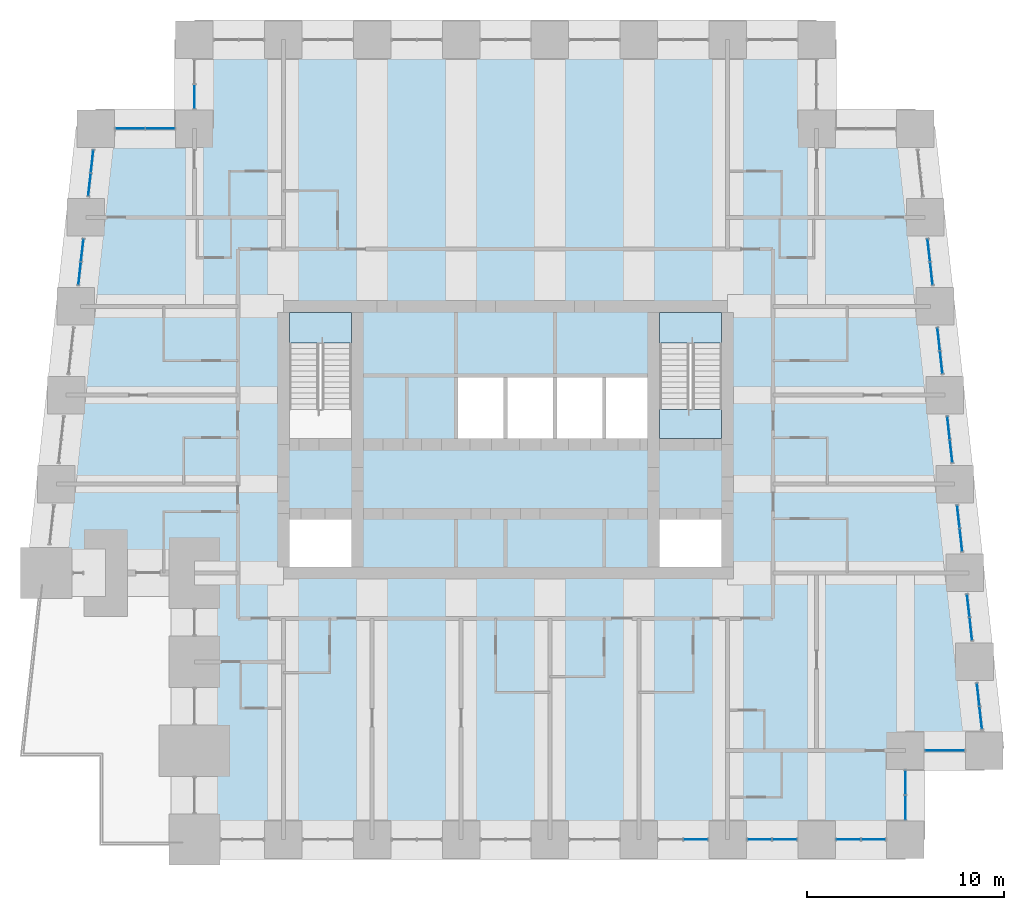
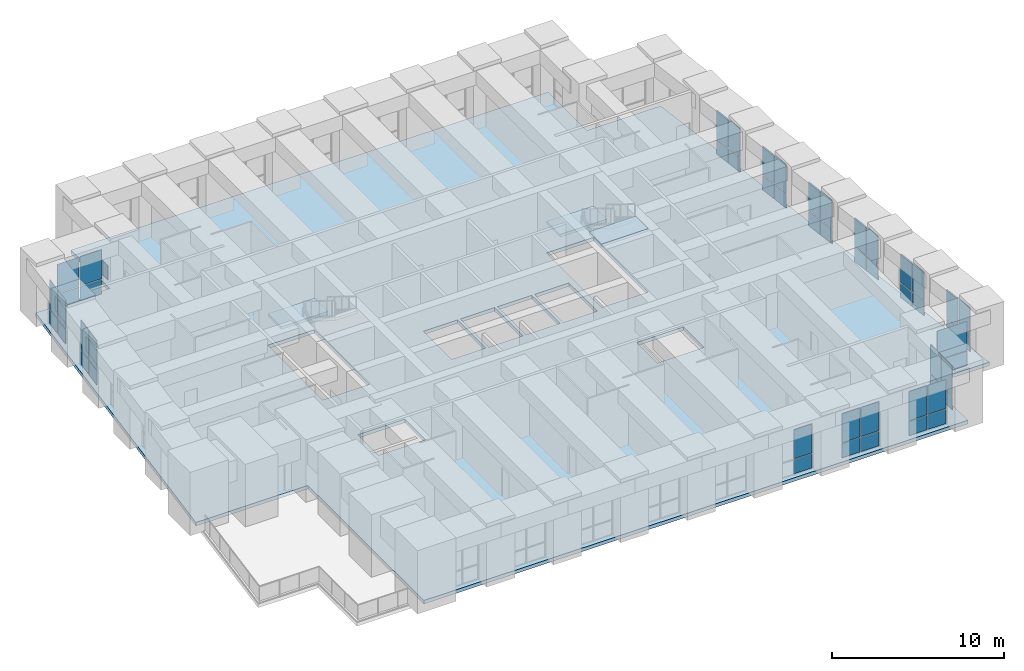
# One storey, part 10 of 16: 53 plates, 4 slabs, 17 elements without a shape of their own.
"""IFC4 building model written with IfcOpenShell, lengths in metres."""

from ifc_helpers import new_model, si_unit, direction, frame, origin, origin_2d, place, context, subcontext, project, spatial, polyline, rectangle, outline, extrude, material, layer, layer_set, type_object, element, aggregate, save


model = new_model("IFC4")

# Units and contexts
model_context = context("Model", 3, precision=1e-05, world=origin(), true_north=direction((0.0, 1.0)))
body_context = subcontext(model_context, "Body", "Model", "MODEL_VIEW")
ifc_project = project(units=[si_unit("LENGTHUNIT", "METRE"), si_unit("AREAUNIT", "SQUARE_METRE"), si_unit("VOLUMEUNIT", "CUBIC_METRE"), si_unit("PLANEANGLEUNIT", "RADIAN"), si_unit("MASSUNIT", "GRAM", prefix="KILO")], contexts=[model_context])

# Site, building, storey
site_placement = place(None, origin())
site = spatial("IfcSite", under=ifc_project, at=site_placement, CompositionType="ELEMENT")
building_placement = place(site_placement, origin())
building = spatial("IfcBuilding", under=site, at=building_placement, Name="Kilele Tower Hotel", CompositionType="ELEMENT")
storey_placement = place(building_placement, frame((0.0, 0.0, 157.89990234375)))
storey = spatial("IfcBuildingStorey", under=building, at=storey_placement, Name="L40", CompositionType="ELEMENT", Elevation=157.89990234375)

# Slab
ifc_material_1 = material(Name="Concrete C60/75", Category="concrete")
ifc_layer_1 = layer(ifc_material_1, 0.25)
ifc_layer_set_1 = layer_set([ifc_layer_1], Name="Concrete C60/75")
slab_type_1 = type_object("IfcSlabType", Name="Floor slab 250", PredefinedType="FLOOR", material=ifc_layer_set_1)
slab_1_placement = place(storey_placement, frame((0.0, 0.0, -0.25)))
element("IfcSlab", 1, at=slab_1_placement, inside=storey, type_object=slab_type_1, Name="Floor slab L40", PredefinedType="FLOOR", context=body_context, shape_type="SweptSolid", body=[
    extrude(outline(polyline([(8.699951171875, 36.300048828125), (8.699951171875, 40.800048828125), (40.800048828125, 40.800048828125), (40.800048828125, 36.300048828125), (45.7685546875, 36.300048828125), (49.335205078125, 4.199951171875), (45.300048828125, 4.199951171875), (45.300048828125, -0.300048828125), (8.699951171875, -0.300048828125), (8.699951171875, 13.199951171875), (1.164794921875, 13.199951171875), (3.7314453125, 36.300048828125), (8.699951171875, 36.300048828125)]), holes=[polyline([(16.949951171875, 16.199951171875), (13.800048828125, 16.199951171875), (13.800048828125, 13.800048828125), (16.949951171875, 13.800048828125), (16.949951171875, 16.199951171875)]), polyline([(35.699951171875, 16.199951171875), (32.550048828125, 16.199951171875), (32.550048828125, 13.800048828125), (35.699951171875, 13.800048828125), (35.699951171875, 16.199951171875)]), polyline([(24.64990234375, 23.39990234375), (22.35009765625, 23.39990234375), (22.35009765625, 20.10009765625), (24.64990234375, 20.10009765625), (24.64990234375, 23.39990234375)]), polyline([(27.14990234375, 23.39990234375), (24.85009765625, 23.39990234375), (24.85009765625, 20.10009765625), (27.14990234375, 20.10009765625), (27.14990234375, 23.39990234375)]), polyline([(29.64990234375, 23.39990234375), (27.35009765625, 23.39990234375), (27.35009765625, 20.10009765625), (29.64990234375, 20.10009765625), (29.64990234375, 23.39990234375)]), polyline([(32.14990234375, 23.39990234375), (29.85009765625, 23.39990234375), (29.85009765625, 20.10009765625), (32.14990234375, 20.10009765625), (32.14990234375, 23.39990234375)]), polyline([(16.949951171875, 26.699951171875), (13.800048828125, 26.699951171875), (13.800048828125, 20.300048828125), (16.949951171875, 20.300048828125), (16.949951171875, 26.699951171875)]), polyline([(35.699951171875, 26.699951171875), (32.550048828125, 26.699951171875), (32.550048828125, 20.300048828125), (35.699951171875, 20.300048828125), (35.699951171875, 26.699951171875)])]), origin(), (0.0, 0.0, 1.0), 0.25),
])

# Curtain wall, plates
ifc_material_2 = material(Name="Aluminium curtain wall, clear double glazing", Category="aluminium")
curtain_wall_type = type_object("IfcCurtainWallType", Name="Club lounge curtain wall CW-4", PredefinedType="NOTDEFINED", material=ifc_material_2)
curtain_wall_1_placement = place(storey_placement, origin())
curtain_wall_1 = element("IfcCurtainWall", 2, at=curtain_wall_1_placement, inside=storey, type_object=curtain_wall_type, Name="Club lounge curtain wall CW-4 L40", PredefinedType="NOTDEFINED")
ifc_material_3 = material(Name="Clear double glazing", Category="glass")
ifc_layer_2 = layer(ifc_material_3, 0.028076171875)
ifc_layer_set_2 = layer_set([ifc_layer_2], Name="Clear double glazing")
plate_type = type_object("IfcPlateType", Name="Glazed panel 28 CW-4", PredefinedType="CURTAIN_PANEL", material=ifc_layer_set_2)
plate_1_placement = place(storey_placement, frame((34.385009765625, 0.0, 0.06005859375), z_axis=(0.0, 0.0, 1.0), x_axis=(1.0, 0.0, 0.0)))
plate_1 = element("IfcPlate", 3, at=plate_1_placement, type_object=plate_type, Name="CW-4 panel 2.1", PredefinedType="CURTAIN_PANEL", context=body_context, shape_type="SweptSolid", body=[
    extrude(rectangle(XDim=1.2099609375, YDim=0.028076171875, at=origin_2d()), origin(), (0.0, 0.0, 1.0), 1.010009765625),
])
plate_2_placement = place(storey_placement, frame((34.385009765625, 0.0, 1.130126953125), z_axis=(0.0, 0.0, 1.0), x_axis=(1.0, 0.0, 0.0)))
plate_2 = element("IfcPlate", 4, at=plate_2_placement, type_object=plate_type, Name="CW-4 panel 2.2", PredefinedType="CURTAIN_PANEL", context=body_context, shape_type="SweptSolid", body=[
    extrude(rectangle(XDim=1.2099609375, YDim=0.028076171875, at=origin_2d()), origin(), (0.0, 0.0, 1.0), 2.06005859375),
])
aggregate(curtain_wall_1, [plate_1, plate_2])

curtain_wall_2_placement = place(storey_placement, origin())
curtain_wall_2 = element("IfcCurtainWall", 5, at=curtain_wall_2_placement, inside=storey, type_object=curtain_wall_type, Name="Club lounge curtain wall CW-4 L40", PredefinedType="NOTDEFINED")
plate_3_placement = place(storey_placement, frame((37.614990234375, 0.0, 0.06005859375), z_axis=(0.0, 0.0, 1.0), x_axis=(1.0, 0.0, 0.0)))
plate_3 = element("IfcPlate", 6, at=plate_3_placement, type_object=plate_type, Name="CW-4 panel 1.1", PredefinedType="CURTAIN_PANEL", context=body_context, shape_type="SweptSolid", body=[
    extrude(rectangle(XDim=1.2099609375, YDim=0.028076171875, at=origin_2d()), origin(), (0.0, 0.0, 1.0), 1.010009765625),
])
plate_4_placement = place(storey_placement, frame((37.614990234375, 0.0, 1.130126953125), z_axis=(0.0, 0.0, 1.0), x_axis=(1.0, 0.0, 0.0)))
plate_4 = element("IfcPlate", 7, at=plate_4_placement, type_object=plate_type, Name="CW-4 panel 1.2", PredefinedType="CURTAIN_PANEL", context=body_context, shape_type="SweptSolid", body=[
    extrude(rectangle(XDim=1.2099609375, YDim=0.028076171875, at=origin_2d()), origin(), (0.0, 0.0, 1.0), 2.06005859375),
])
plate_5_placement = place(storey_placement, frame((38.885009765625, 0.0, 0.06005859375), z_axis=(0.0, 0.0, 1.0), x_axis=(1.0, 0.0, 0.0)))
plate_5 = element("IfcPlate", 8, at=plate_5_placement, type_object=plate_type, Name="CW-4 panel 2.1", PredefinedType="CURTAIN_PANEL", context=body_context, shape_type="SweptSolid", body=[
    extrude(rectangle(XDim=1.2099609375, YDim=0.028076171875, at=origin_2d()), origin(), (0.0, 0.0, 1.0), 1.010009765625),
])
plate_6_placement = place(storey_placement, frame((38.885009765625, 0.0, 1.130126953125), z_axis=(0.0, 0.0, 1.0), x_axis=(1.0, 0.0, 0.0)))
plate_6 = element("IfcPlate", 9, at=plate_6_placement, type_object=plate_type, Name="CW-4 panel 2.2", PredefinedType="CURTAIN_PANEL", context=body_context, shape_type="SweptSolid", body=[
    extrude(rectangle(XDim=1.2099609375, YDim=0.028076171875, at=origin_2d()), origin(), (0.0, 0.0, 1.0), 2.06005859375),
])
aggregate(curtain_wall_2, [plate_3, plate_4, plate_5, plate_6])

curtain_wall_3_placement = place(storey_placement, origin())
curtain_wall_3 = element("IfcCurtainWall", 10, at=curtain_wall_3_placement, inside=storey, type_object=curtain_wall_type, Name="Club lounge curtain wall CW-4 L40", PredefinedType="NOTDEFINED")
plate_7_placement = place(storey_placement, frame((42.114990234375, 0.0, 0.06005859375), z_axis=(0.0, 0.0, 1.0), x_axis=(1.0, 0.0, 0.0)))
plate_7 = element("IfcPlate", 11, at=plate_7_placement, type_object=plate_type, Name="CW-4 panel 1.1", PredefinedType="CURTAIN_PANEL", context=body_context, shape_type="SweptSolid", body=[
    extrude(rectangle(XDim=1.2099609375, YDim=0.028076171875, at=origin_2d()), origin(), (0.0, 0.0, 1.0), 1.010009765625),
])
plate_8_placement = place(storey_placement, frame((42.114990234375, 0.0, 1.130126953125), z_axis=(0.0, 0.0, 1.0), x_axis=(1.0, 0.0, 0.0)))
plate_8 = element("IfcPlate", 12, at=plate_8_placement, type_object=plate_type, Name="CW-4 panel 1.2", PredefinedType="CURTAIN_PANEL", context=body_context, shape_type="SweptSolid", body=[
    extrude(rectangle(XDim=1.2099609375, YDim=0.028076171875, at=origin_2d()), origin(), (0.0, 0.0, 1.0), 2.06005859375),
])
plate_9_placement = place(storey_placement, frame((43.385009765625, 0.0, 0.06005859375), z_axis=(0.0, 0.0, 1.0), x_axis=(1.0, 0.0, 0.0)))
plate_9 = element("IfcPlate", 13, at=plate_9_placement, type_object=plate_type, Name="CW-4 panel 2.1", PredefinedType="CURTAIN_PANEL", context=body_context, shape_type="SweptSolid", body=[
    extrude(rectangle(XDim=1.2099609375, YDim=0.028076171875, at=origin_2d()), origin(), (0.0, 0.0, 1.0), 1.010009765625),
])
plate_10_placement = place(storey_placement, frame((43.385009765625, 0.0, 1.130126953125), z_axis=(0.0, 0.0, 1.0), x_axis=(1.0, 0.0, 0.0)))
plate_10 = element("IfcPlate", 14, at=plate_10_placement, type_object=plate_type, Name="CW-4 panel 2.2", PredefinedType="CURTAIN_PANEL", context=body_context, shape_type="SweptSolid", body=[
    extrude(rectangle(XDim=1.2099609375, YDim=0.028076171875, at=origin_2d()), origin(), (0.0, 0.0, 1.0), 2.06005859375),
])
aggregate(curtain_wall_3, [plate_7, plate_8, plate_9, plate_10])

curtain_wall_4_placement = place(storey_placement, origin())
curtain_wall_4 = element("IfcCurtainWall", 15, at=curtain_wall_4_placement, inside=storey, type_object=curtain_wall_type, Name="Club lounge curtain wall CW-4 L40", PredefinedType="NOTDEFINED")
plate_11_placement = place(storey_placement, frame((45.0, 1.614990234375, 0.06005859375), z_axis=(0.0, 0.0, 1.0), x_axis=(0.0, 1.0, 0.0)))
plate_11 = element("IfcPlate", 16, at=plate_11_placement, type_object=plate_type, Name="CW-4 panel 1.1", PredefinedType="CURTAIN_PANEL", context=body_context, shape_type="SweptSolid", body=[
    extrude(rectangle(XDim=1.2099609375, YDim=0.028076171875, at=origin_2d()), origin(), (0.0, 0.0, 1.0), 1.010009765625),
])
plate_12_placement = place(storey_placement, frame((45.0, 1.614990234375, 1.130126953125), z_axis=(0.0, 0.0, 1.0), x_axis=(0.0, 1.0, 0.0)))
plate_12 = element("IfcPlate", 17, at=plate_12_placement, type_object=plate_type, Name="CW-4 panel 1.2", PredefinedType="CURTAIN_PANEL", context=body_context, shape_type="SweptSolid", body=[
    extrude(rectangle(XDim=1.2099609375, YDim=0.028076171875, at=origin_2d()), origin(), (0.0, 0.0, 1.0), 2.06005859375),
])
plate_13_placement = place(storey_placement, frame((45.0, 2.885009765625, 0.06005859375), z_axis=(0.0, 0.0, 1.0), x_axis=(0.0, 1.0, 0.0)))
plate_13 = element("IfcPlate", 18, at=plate_13_placement, type_object=plate_type, Name="CW-4 panel 2.1", PredefinedType="CURTAIN_PANEL", context=body_context, shape_type="SweptSolid", body=[
    extrude(rectangle(XDim=1.2099609375, YDim=0.028076171875, at=origin_2d()), origin(), (0.0, 0.0, 1.0), 1.010009765625),
])
plate_14_placement = place(storey_placement, frame((45.0, 2.885009765625, 1.130126953125), z_axis=(0.0, 0.0, 1.0), x_axis=(0.0, 1.0, 0.0)))
plate_14 = element("IfcPlate", 19, at=plate_14_placement, type_object=plate_type, Name="CW-4 panel 2.2", PredefinedType="CURTAIN_PANEL", context=body_context, shape_type="SweptSolid", body=[
    extrude(rectangle(XDim=1.2099609375, YDim=0.028076171875, at=origin_2d()), origin(), (0.0, 0.0, 1.0), 2.06005859375),
])
aggregate(curtain_wall_4, [plate_11, plate_12, plate_13, plate_14])

curtain_wall_5_placement = place(storey_placement, origin())
curtain_wall_5 = element("IfcCurtainWall", 20, at=curtain_wall_5_placement, inside=storey, type_object=curtain_wall_type, Name="Club lounge curtain wall CW-4 L40", PredefinedType="NOTDEFINED")
plate_15_placement = place(storey_placement, frame((47.0, 4.5, 0.06005859375), z_axis=(0.0, 0.0, 1.0), x_axis=(1.0, 0.0, 0.0)))
plate_15 = element("IfcPlate", 21, at=plate_15_placement, type_object=plate_type, Name="CW-4 panel 1.1", PredefinedType="CURTAIN_PANEL", context=body_context, shape_type="SweptSolid", body=[
    extrude(rectangle(XDim=1.97998046875, YDim=0.028076171875, at=origin_2d()), origin(), (0.0, 0.0, 1.0), 1.010009765625),
])
plate_16_placement = place(storey_placement, frame((47.0, 4.5, 1.130126953125), z_axis=(0.0, 0.0, 1.0), x_axis=(1.0, 0.0, 0.0)))
plate_16 = element("IfcPlate", 22, at=plate_16_placement, type_object=plate_type, Name="CW-4 panel 1.2", PredefinedType="CURTAIN_PANEL", context=body_context, shape_type="SweptSolid", body=[
    extrude(rectangle(XDim=1.97998046875, YDim=0.028076171875, at=origin_2d()), origin(), (0.0, 0.0, 1.0), 2.06005859375),
])
aggregate(curtain_wall_5, [plate_15, plate_16])

curtain_wall_6_placement = place(storey_placement, origin())
curtain_wall_6 = element("IfcCurtainWall", 23, at=curtain_wall_6_placement, inside=storey, type_object=curtain_wall_type, Name="Club lounge curtain wall CW-4 L40", PredefinedType="NOTDEFINED")
plate_17_placement = place(storey_placement, frame((48.8154296875, 6.1611328125, 0.06005859375), z_axis=(0.0, 0.0, 1.0), x_axis=(-0.110431525712, 0.993883734714, 0.0)))
plate_17 = element("IfcPlate", 24, at=plate_17_placement, type_object=plate_type, Name="CW-4 panel 1.1", PredefinedType="CURTAIN_PANEL", context=body_context, shape_type="SweptSolid", body=[
    extrude(rectangle(XDim=1.124755859375, YDim=0.028076171875, at=origin_2d()), origin(), (0.0, 0.0, 1.0), 1.010009765625),
])
plate_18_placement = place(storey_placement, frame((48.8154296875, 6.1611328125, 1.130126953125), z_axis=(0.0, 0.0, 1.0), x_axis=(-0.110431525712, 0.993883734714, 0.0)))
plate_18 = element("IfcPlate", 25, at=plate_18_placement, type_object=plate_type, Name="CW-4 panel 1.2", PredefinedType="CURTAIN_PANEL", context=body_context, shape_type="SweptSolid", body=[
    extrude(rectangle(XDim=1.124755859375, YDim=0.028076171875, at=origin_2d()), origin(), (0.0, 0.0, 1.0), 2.06005859375),
])
plate_19_placement = place(storey_placement, frame((48.6845703125, 7.3388671875, 0.06005859375), z_axis=(0.0, 0.0, 1.0), x_axis=(-0.110431525712, 0.993883734714, 0.0)))
plate_19 = element("IfcPlate", 26, at=plate_19_placement, type_object=plate_type, Name="CW-4 panel 2.1", PredefinedType="CURTAIN_PANEL", context=body_context, shape_type="SweptSolid", body=[
    extrude(rectangle(XDim=1.124755859375, YDim=0.028076171875, at=origin_2d()), origin(), (0.0, 0.0, 1.0), 1.010009765625),
])
plate_20_placement = place(storey_placement, frame((48.6845703125, 7.3388671875, 1.130126953125), z_axis=(0.0, 0.0, 1.0), x_axis=(-0.110431525712, 0.993883734714, 0.0)))
plate_20 = element("IfcPlate", 27, at=plate_20_placement, type_object=plate_type, Name="CW-4 panel 2.2", PredefinedType="CURTAIN_PANEL", context=body_context, shape_type="SweptSolid", body=[
    extrude(rectangle(XDim=1.124755859375, YDim=0.028076171875, at=origin_2d()), origin(), (0.0, 0.0, 1.0), 2.06005859375),
])
aggregate(curtain_wall_6, [plate_17, plate_18, plate_19, plate_20])

curtain_wall_7_placement = place(storey_placement, origin())
curtain_wall_7 = element("IfcCurtainWall", 28, at=curtain_wall_7_placement, inside=storey, type_object=curtain_wall_type, Name="Club lounge curtain wall CW-4 L40", PredefinedType="NOTDEFINED")
plate_21_placement = place(storey_placement, frame((48.3154296875, 10.6611328125, 0.06005859375), z_axis=(0.0, 0.0, 1.0), x_axis=(-0.110431525712, 0.993883734714, 0.0)))
plate_21 = element("IfcPlate", 29, at=plate_21_placement, type_object=plate_type, Name="CW-4 panel 1.1", PredefinedType="CURTAIN_PANEL", context=body_context, shape_type="SweptSolid", body=[
    extrude(rectangle(XDim=1.124755859375, YDim=0.028076171875, at=origin_2d()), origin(), (0.0, 0.0, 1.0), 1.010009765625),
])
plate_22_placement = place(storey_placement, frame((48.3154296875, 10.6611328125, 1.130126953125), z_axis=(0.0, 0.0, 1.0), x_axis=(-0.110431525712, 0.993883734714, 0.0)))
plate_22 = element("IfcPlate", 30, at=plate_22_placement, type_object=plate_type, Name="CW-4 panel 1.2", PredefinedType="CURTAIN_PANEL", context=body_context, shape_type="SweptSolid", body=[
    extrude(rectangle(XDim=1.124755859375, YDim=0.028076171875, at=origin_2d()), origin(), (0.0, 0.0, 1.0), 2.06005859375),
])
plate_23_placement = place(storey_placement, frame((48.1845703125, 11.8388671875, 0.06005859375), z_axis=(0.0, 0.0, 1.0), x_axis=(-0.110431525712, 0.993883734714, 0.0)))
plate_23 = element("IfcPlate", 31, at=plate_23_placement, type_object=plate_type, Name="CW-4 panel 2.1", PredefinedType="CURTAIN_PANEL", context=body_context, shape_type="SweptSolid", body=[
    extrude(rectangle(XDim=1.124755859375, YDim=0.028076171875, at=origin_2d()), origin(), (0.0, 0.0, 1.0), 1.010009765625),
])
plate_24_placement = place(storey_placement, frame((48.1845703125, 11.8388671875, 1.130126953125), z_axis=(0.0, 0.0, 1.0), x_axis=(-0.110431525712, 0.993883734714, 0.0)))
plate_24 = element("IfcPlate", 32, at=plate_24_placement, type_object=plate_type, Name="CW-4 panel 2.2", PredefinedType="CURTAIN_PANEL", context=body_context, shape_type="SweptSolid", body=[
    extrude(rectangle(XDim=1.124755859375, YDim=0.028076171875, at=origin_2d()), origin(), (0.0, 0.0, 1.0), 2.06005859375),
])
aggregate(curtain_wall_7, [plate_21, plate_22, plate_23, plate_24])

curtain_wall_8_placement = place(storey_placement, origin())
curtain_wall_8 = element("IfcCurtainWall", 33, at=curtain_wall_8_placement, inside=storey, type_object=curtain_wall_type, Name="Club lounge curtain wall CW-4 L40", PredefinedType="NOTDEFINED")
plate_25_placement = place(storey_placement, frame((47.8154296875, 15.1611328125, 0.06005859375), z_axis=(0.0, 0.0, 1.0), x_axis=(-0.110431525712, 0.993883734714, 0.0)))
plate_25 = element("IfcPlate", 34, at=plate_25_placement, type_object=plate_type, Name="CW-4 panel 1.1", PredefinedType="CURTAIN_PANEL", context=body_context, shape_type="SweptSolid", body=[
    extrude(rectangle(XDim=1.124755859375, YDim=0.028076171875, at=origin_2d()), origin(), (0.0, 0.0, 1.0), 1.010009765625),
])
plate_26_placement = place(storey_placement, frame((47.8154296875, 15.1611328125, 1.130126953125), z_axis=(0.0, 0.0, 1.0), x_axis=(-0.110431525712, 0.993883734714, 0.0)))
plate_26 = element("IfcPlate", 35, at=plate_26_placement, type_object=plate_type, Name="CW-4 panel 1.2", PredefinedType="CURTAIN_PANEL", context=body_context, shape_type="SweptSolid", body=[
    extrude(rectangle(XDim=1.124755859375, YDim=0.028076171875, at=origin_2d()), origin(), (0.0, 0.0, 1.0), 2.06005859375),
])
plate_27_placement = place(storey_placement, frame((47.6845703125, 16.3388671875, 0.06005859375), z_axis=(0.0, 0.0, 1.0), x_axis=(-0.110431525712, 0.993883734714, 0.0)))
plate_27 = element("IfcPlate", 36, at=plate_27_placement, type_object=plate_type, Name="CW-4 panel 2.1", PredefinedType="CURTAIN_PANEL", context=body_context, shape_type="SweptSolid", body=[
    extrude(rectangle(XDim=1.124755859375, YDim=0.028076171875, at=origin_2d()), origin(), (0.0, 0.0, 1.0), 1.010009765625),
])
plate_28_placement = place(storey_placement, frame((47.6845703125, 16.3388671875, 1.130126953125), z_axis=(0.0, 0.0, 1.0), x_axis=(-0.110431525712, 0.993883734714, 0.0)))
plate_28 = element("IfcPlate", 37, at=plate_28_placement, type_object=plate_type, Name="CW-4 panel 2.2", PredefinedType="CURTAIN_PANEL", context=body_context, shape_type="SweptSolid", body=[
    extrude(rectangle(XDim=1.124755859375, YDim=0.028076171875, at=origin_2d()), origin(), (0.0, 0.0, 1.0), 2.06005859375),
])
aggregate(curtain_wall_8, [plate_25, plate_26, plate_27, plate_28])

curtain_wall_9_placement = place(storey_placement, origin())
curtain_wall_9 = element("IfcCurtainWall", 38, at=curtain_wall_9_placement, inside=storey, type_object=curtain_wall_type, Name="Club lounge curtain wall CW-4 L40", PredefinedType="NOTDEFINED")
plate_29_placement = place(storey_placement, frame((47.3154296875, 19.6611328125, 0.06005859375), z_axis=(0.0, 0.0, 1.0), x_axis=(-0.110431525712, 0.993883734714, 0.0)))
plate_29 = element("IfcPlate", 39, at=plate_29_placement, type_object=plate_type, Name="CW-4 panel 1.1", PredefinedType="CURTAIN_PANEL", context=body_context, shape_type="SweptSolid", body=[
    extrude(rectangle(XDim=1.124755859375, YDim=0.028076171875, at=origin_2d()), origin(), (0.0, 0.0, 1.0), 1.010009765625),
])
plate_30_placement = place(storey_placement, frame((47.3154296875, 19.6611328125, 1.130126953125), z_axis=(0.0, 0.0, 1.0), x_axis=(-0.110431525712, 0.993883734714, 0.0)))
plate_30 = element("IfcPlate", 40, at=plate_30_placement, type_object=plate_type, Name="CW-4 panel 1.2", PredefinedType="CURTAIN_PANEL", context=body_context, shape_type="SweptSolid", body=[
    extrude(rectangle(XDim=1.124755859375, YDim=0.028076171875, at=origin_2d()), origin(), (0.0, 0.0, 1.0), 2.06005859375),
])
plate_31_placement = place(storey_placement, frame((47.1845703125, 20.8388671875, 0.06005859375), z_axis=(0.0, 0.0, 1.0), x_axis=(-0.110431525712, 0.993883734714, 0.0)))
plate_31 = element("IfcPlate", 41, at=plate_31_placement, type_object=plate_type, Name="CW-4 panel 2.1", PredefinedType="CURTAIN_PANEL", context=body_context, shape_type="SweptSolid", body=[
    extrude(rectangle(XDim=1.124755859375, YDim=0.028076171875, at=origin_2d()), origin(), (0.0, 0.0, 1.0), 1.010009765625),
])
plate_32_placement = place(storey_placement, frame((47.1845703125, 20.8388671875, 1.130126953125), z_axis=(0.0, 0.0, 1.0), x_axis=(-0.110431525712, 0.993883734714, 0.0)))
plate_32 = element("IfcPlate", 42, at=plate_32_placement, type_object=plate_type, Name="CW-4 panel 2.2", PredefinedType="CURTAIN_PANEL", context=body_context, shape_type="SweptSolid", body=[
    extrude(rectangle(XDim=1.124755859375, YDim=0.028076171875, at=origin_2d()), origin(), (0.0, 0.0, 1.0), 2.06005859375),
])
aggregate(curtain_wall_9, [plate_29, plate_30, plate_31, plate_32])

curtain_wall_10_placement = place(storey_placement, origin())
curtain_wall_10 = element("IfcCurtainWall", 43, at=curtain_wall_10_placement, inside=storey, type_object=curtain_wall_type, Name="Club lounge curtain wall CW-4 L40", PredefinedType="NOTDEFINED")
plate_33_placement = place(storey_placement, frame((46.8154296875, 24.1611328125, 0.06005859375), z_axis=(0.0, 0.0, 1.0), x_axis=(-0.110431525712, 0.993883734714, 0.0)))
plate_33 = element("IfcPlate", 44, at=plate_33_placement, type_object=plate_type, Name="CW-4 panel 1.1", PredefinedType="CURTAIN_PANEL", context=body_context, shape_type="SweptSolid", body=[
    extrude(rectangle(XDim=1.124755859375, YDim=0.028076171875, at=origin_2d()), origin(), (0.0, 0.0, 1.0), 1.010009765625),
])
plate_34_placement = place(storey_placement, frame((46.8154296875, 24.1611328125, 1.130126953125), z_axis=(0.0, 0.0, 1.0), x_axis=(-0.110431525712, 0.993883734714, 0.0)))
plate_34 = element("IfcPlate", 45, at=plate_34_placement, type_object=plate_type, Name="CW-4 panel 1.2", PredefinedType="CURTAIN_PANEL", context=body_context, shape_type="SweptSolid", body=[
    extrude(rectangle(XDim=1.124755859375, YDim=0.028076171875, at=origin_2d()), origin(), (0.0, 0.0, 1.0), 2.06005859375),
])
plate_35_placement = place(storey_placement, frame((46.6845703125, 25.3388671875, 0.06005859375), z_axis=(0.0, 0.0, 1.0), x_axis=(-0.110431525712, 0.993883734714, 0.0)))
plate_35 = element("IfcPlate", 46, at=plate_35_placement, type_object=plate_type, Name="CW-4 panel 2.1", PredefinedType="CURTAIN_PANEL", context=body_context, shape_type="SweptSolid", body=[
    extrude(rectangle(XDim=1.124755859375, YDim=0.028076171875, at=origin_2d()), origin(), (0.0, 0.0, 1.0), 1.010009765625),
])
plate_36_placement = place(storey_placement, frame((46.6845703125, 25.3388671875, 1.130126953125), z_axis=(0.0, 0.0, 1.0), x_axis=(-0.110431525712, 0.993883734714, 0.0)))
plate_36 = element("IfcPlate", 47, at=plate_36_placement, type_object=plate_type, Name="CW-4 panel 2.2", PredefinedType="CURTAIN_PANEL", context=body_context, shape_type="SweptSolid", body=[
    extrude(rectangle(XDim=1.124755859375, YDim=0.028076171875, at=origin_2d()), origin(), (0.0, 0.0, 1.0), 2.06005859375),
])
aggregate(curtain_wall_10, [plate_33, plate_34, plate_35, plate_36])

curtain_wall_11_placement = place(storey_placement, origin())
curtain_wall_11 = element("IfcCurtainWall", 48, at=curtain_wall_11_placement, inside=storey, type_object=curtain_wall_type, Name="Club lounge curtain wall CW-4 L40", PredefinedType="NOTDEFINED")
plate_37_placement = place(storey_placement, frame((46.3154296875, 28.6611328125, 0.06005859375), z_axis=(0.0, 0.0, 1.0), x_axis=(-0.110431525712, 0.993883734714, 0.0)))
plate_37 = element("IfcPlate", 49, at=plate_37_placement, type_object=plate_type, Name="CW-4 panel 1.1", PredefinedType="CURTAIN_PANEL", context=body_context, shape_type="SweptSolid", body=[
    extrude(rectangle(XDim=1.124755859375, YDim=0.028076171875, at=origin_2d()), origin(), (0.0, 0.0, 1.0), 1.010009765625),
])
plate_38_placement = place(storey_placement, frame((46.3154296875, 28.6611328125, 1.130126953125), z_axis=(0.0, 0.0, 1.0), x_axis=(-0.110431525712, 0.993883734714, 0.0)))
plate_38 = element("IfcPlate", 50, at=plate_38_placement, type_object=plate_type, Name="CW-4 panel 1.2", PredefinedType="CURTAIN_PANEL", context=body_context, shape_type="SweptSolid", body=[
    extrude(rectangle(XDim=1.124755859375, YDim=0.028076171875, at=origin_2d()), origin(), (0.0, 0.0, 1.0), 2.06005859375),
])
plate_39_placement = place(storey_placement, frame((46.1845703125, 29.8388671875, 0.06005859375), z_axis=(0.0, 0.0, 1.0), x_axis=(-0.110431525712, 0.993883734714, 0.0)))
plate_39 = element("IfcPlate", 51, at=plate_39_placement, type_object=plate_type, Name="CW-4 panel 2.1", PredefinedType="CURTAIN_PANEL", context=body_context, shape_type="SweptSolid", body=[
    extrude(rectangle(XDim=1.124755859375, YDim=0.028076171875, at=origin_2d()), origin(), (0.0, 0.0, 1.0), 1.010009765625),
])
plate_40_placement = place(storey_placement, frame((46.1845703125, 29.8388671875, 1.130126953125), z_axis=(0.0, 0.0, 1.0), x_axis=(-0.110431525712, 0.993883734714, 0.0)))
plate_40 = element("IfcPlate", 52, at=plate_40_placement, type_object=plate_type, Name="CW-4 panel 2.2", PredefinedType="CURTAIN_PANEL", context=body_context, shape_type="SweptSolid", body=[
    extrude(rectangle(XDim=1.124755859375, YDim=0.028076171875, at=origin_2d()), origin(), (0.0, 0.0, 1.0), 2.06005859375),
])
aggregate(curtain_wall_11, [plate_37, plate_38, plate_39, plate_40])

# Curtain wall, plate
curtain_wall_12_placement = place(storey_placement, origin())
curtain_wall_12 = element("IfcCurtainWall", 53, at=curtain_wall_12_placement, inside=storey, type_object=curtain_wall_type, Name="Club lounge curtain wall CW-4 L40", PredefinedType="NOTDEFINED")
plate_41_placement = place(storey_placement, frame((9.0, 37.614990234375, 0.06005859375), z_axis=(0.0, 0.0, 1.0), x_axis=(0.0, -1.0, 0.0)))
plate_41 = element("IfcPlate", 54, at=plate_41_placement, type_object=plate_type, Name="CW-4 panel 2.1", PredefinedType="CURTAIN_PANEL", context=body_context, shape_type="SweptSolid", body=[
    extrude(rectangle(XDim=1.2099609375, YDim=0.028076171875, at=origin_2d()), origin(), (0.0, 0.0, 1.0), 1.010009765625),
])
aggregate(curtain_wall_12, [plate_41])

# Curtain wall, plates
curtain_wall_13_placement = place(storey_placement, origin())
curtain_wall_13 = element("IfcCurtainWall", 55, at=curtain_wall_13_placement, inside=storey, type_object=curtain_wall_type, Name="Club lounge curtain wall CW-4 L40", PredefinedType="NOTDEFINED")
plate_42_placement = place(storey_placement, frame((7.260009765625, 36.0, 0.06005859375), z_axis=(0.0, 0.0, 1.0), x_axis=(-1.0, 0.0, 0.0)))
plate_42 = element("IfcPlate", 56, at=plate_42_placement, type_object=plate_type, Name="CW-4 panel 1.1", PredefinedType="CURTAIN_PANEL", context=body_context, shape_type="SweptSolid", body=[
    extrude(rectangle(XDim=1.4599609375, YDim=0.028076171875, at=origin_2d()), origin(), (0.0, 0.0, 1.0), 1.010009765625),
])
plate_43_placement = place(storey_placement, frame((7.260009765625, 36.0, 1.130126953125), z_axis=(0.0, 0.0, 1.0), x_axis=(-1.0, 0.0, 0.0)))
plate_43 = element("IfcPlate", 57, at=plate_43_placement, type_object=plate_type, Name="CW-4 panel 1.2", PredefinedType="CURTAIN_PANEL", context=body_context, shape_type="SweptSolid", body=[
    extrude(rectangle(XDim=1.4599609375, YDim=0.028076171875, at=origin_2d()), origin(), (0.0, 0.0, 1.0), 2.06005859375),
])
plate_44_placement = place(storey_placement, frame((5.739990234375, 36.0, 0.06005859375), z_axis=(0.0, 0.0, 1.0), x_axis=(-1.0, 0.0, 0.0)))
plate_44 = element("IfcPlate", 58, at=plate_44_placement, type_object=plate_type, Name="CW-4 panel 2.1", PredefinedType="CURTAIN_PANEL", context=body_context, shape_type="SweptSolid", body=[
    extrude(rectangle(XDim=1.4599609375, YDim=0.028076171875, at=origin_2d()), origin(), (0.0, 0.0, 1.0), 1.010009765625),
])
plate_45_placement = place(storey_placement, frame((5.739990234375, 36.0, 1.130126953125), z_axis=(0.0, 0.0, 1.0), x_axis=(-1.0, 0.0, 0.0)))
plate_45 = element("IfcPlate", 59, at=plate_45_placement, type_object=plate_type, Name="CW-4 panel 2.2", PredefinedType="CURTAIN_PANEL", context=body_context, shape_type="SweptSolid", body=[
    extrude(rectangle(XDim=1.4599609375, YDim=0.028076171875, at=origin_2d()), origin(), (0.0, 0.0, 1.0), 2.06005859375),
])
aggregate(curtain_wall_13, [plate_42, plate_43, plate_44, plate_45])

curtain_wall_14_placement = place(storey_placement, origin())
curtain_wall_14 = element("IfcCurtainWall", 60, at=curtain_wall_14_placement, inside=storey, type_object=curtain_wall_type, Name="Club lounge curtain wall CW-4 L40", PredefinedType="NOTDEFINED")
plate_46_placement = place(storey_placement, frame((3.8154296875, 34.3388671875, 0.06005859375), z_axis=(0.0, 0.0, 1.0), x_axis=(-0.110431525712, -0.993883734714, 0.0)))
plate_46 = element("IfcPlate", 61, at=plate_46_placement, type_object=plate_type, Name="CW-4 panel 1.1", PredefinedType="CURTAIN_PANEL", context=body_context, shape_type="SweptSolid", body=[
    extrude(rectangle(XDim=1.124755859375, YDim=0.028076171875, at=origin_2d()), origin(), (0.0, 0.0, 1.0), 1.010009765625),
])
plate_47_placement = place(storey_placement, frame((3.8154296875, 34.3388671875, 1.130126953125), z_axis=(0.0, 0.0, 1.0), x_axis=(-0.110431525712, -0.993883734714, 0.0)))
plate_47 = element("IfcPlate", 62, at=plate_47_placement, type_object=plate_type, Name="CW-4 panel 1.2", PredefinedType="CURTAIN_PANEL", context=body_context, shape_type="SweptSolid", body=[
    extrude(rectangle(XDim=1.124755859375, YDim=0.028076171875, at=origin_2d()), origin(), (0.0, 0.0, 1.0), 2.06005859375),
])
plate_48_placement = place(storey_placement, frame((3.6845703125, 33.1611328125, 0.06005859375), z_axis=(0.0, 0.0, 1.0), x_axis=(-0.110431525712, -0.993883734714, 0.0)))
plate_48 = element("IfcPlate", 63, at=plate_48_placement, type_object=plate_type, Name="CW-4 panel 2.1", PredefinedType="CURTAIN_PANEL", context=body_context, shape_type="SweptSolid", body=[
    extrude(rectangle(XDim=1.124755859375, YDim=0.028076171875, at=origin_2d()), origin(), (0.0, 0.0, 1.0), 1.010009765625),
])
plate_49_placement = place(storey_placement, frame((3.6845703125, 33.1611328125, 1.130126953125), z_axis=(0.0, 0.0, 1.0), x_axis=(-0.110431525712, -0.993883734714, 0.0)))
plate_49 = element("IfcPlate", 64, at=plate_49_placement, type_object=plate_type, Name="CW-4 panel 2.2", PredefinedType="CURTAIN_PANEL", context=body_context, shape_type="SweptSolid", body=[
    extrude(rectangle(XDim=1.124755859375, YDim=0.028076171875, at=origin_2d()), origin(), (0.0, 0.0, 1.0), 2.06005859375),
])
aggregate(curtain_wall_14, [plate_46, plate_47, plate_48, plate_49])

curtain_wall_15_placement = place(storey_placement, origin())
curtain_wall_15 = element("IfcCurtainWall", 65, at=curtain_wall_15_placement, inside=storey, type_object=curtain_wall_type, Name="Club lounge curtain wall CW-4 L40", PredefinedType="NOTDEFINED")
plate_50_placement = place(storey_placement, frame((3.3154296875, 29.8388671875, 0.06005859375), z_axis=(0.0, 0.0, 1.0), x_axis=(-0.110431525712, -0.993883734714, 0.0)))
plate_50 = element("IfcPlate", 66, at=plate_50_placement, type_object=plate_type, Name="CW-4 panel 1.1", PredefinedType="CURTAIN_PANEL", context=body_context, shape_type="SweptSolid", body=[
    extrude(rectangle(XDim=1.124755859375, YDim=0.028076171875, at=origin_2d()), origin(), (0.0, 0.0, 1.0), 1.010009765625),
])
plate_51_placement = place(storey_placement, frame((3.3154296875, 29.8388671875, 1.130126953125), z_axis=(0.0, 0.0, 1.0), x_axis=(-0.110431525712, -0.993883734714, 0.0)))
plate_51 = element("IfcPlate", 67, at=plate_51_placement, type_object=plate_type, Name="CW-4 panel 1.2", PredefinedType="CURTAIN_PANEL", context=body_context, shape_type="SweptSolid", body=[
    extrude(rectangle(XDim=1.124755859375, YDim=0.028076171875, at=origin_2d()), origin(), (0.0, 0.0, 1.0), 2.06005859375),
])
plate_52_placement = place(storey_placement, frame((3.1845703125, 28.6611328125, 0.06005859375), z_axis=(0.0, 0.0, 1.0), x_axis=(-0.110431525712, -0.993883734714, 0.0)))
plate_52 = element("IfcPlate", 68, at=plate_52_placement, type_object=plate_type, Name="CW-4 panel 2.1", PredefinedType="CURTAIN_PANEL", context=body_context, shape_type="SweptSolid", body=[
    extrude(rectangle(XDim=1.124755859375, YDim=0.028076171875, at=origin_2d()), origin(), (0.0, 0.0, 1.0), 1.010009765625),
])
plate_53_placement = place(storey_placement, frame((3.1845703125, 28.6611328125, 1.130126953125), z_axis=(0.0, 0.0, 1.0), x_axis=(-0.110431525712, -0.993883734714, 0.0)))
plate_53 = element("IfcPlate", 69, at=plate_53_placement, type_object=plate_type, Name="CW-4 panel 2.2", PredefinedType="CURTAIN_PANEL", context=body_context, shape_type="SweptSolid", body=[
    extrude(rectangle(XDim=1.124755859375, YDim=0.028076171875, at=origin_2d()), origin(), (0.0, 0.0, 1.0), 2.06005859375),
])
aggregate(curtain_wall_15, [plate_50, plate_51, plate_52, plate_53])

# Stair, slab
ifc_material_4 = material(Name="Precast concrete C40/50", Category="concrete")
stair_type = type_object("IfcStairType", Name="Stair 1475 x 4500", PredefinedType="HALF_TURN_STAIR", material=ifc_material_4)
stair_1_placement = place(storey_placement, origin())
stair_1 = element("IfcStair", 70, at=stair_1_placement, inside=storey, type_object=stair_type, Name="Stair 1 L40", PredefinedType="HALF_TURN_STAIR")
ifc_material_5 = material(Name="Precast concrete C40/50", Category="concrete")
ifc_layer_3 = layer(ifc_material_5, 0.199951171875)
ifc_layer_set_3 = layer_set([ifc_layer_3], Name="Precast concrete C40/50")
slab_type_2 = type_object("IfcSlabType", Name="Stair landing 200", PredefinedType="LANDING", material=ifc_layer_set_3)
slab_2_placement = place(storey_placement, frame((0.0, 0.0, 2.050048828125)))
slab_2 = element("IfcSlab", 71, at=slab_2_placement, type_object=slab_type_2, Name="ST1 landing 1", PredefinedType="LANDING", context=body_context, shape_type="SweptSolid", body=[
    extrude(outline(polyline([(13.800048828125, 25.135009765625), (16.949951171875, 25.135009765625), (16.949951171875, 26.699951171875), (13.800048828125, 26.699951171875), (13.800048828125, 25.135009765625)])), origin(), (0.0, 0.0, 1.0), 0.199951171875),
])
aggregate(stair_1, [slab_2])

# Stair, slabs
stair_2_placement = place(storey_placement, origin())
stair_2 = element("IfcStair", 72, at=stair_2_placement, inside=storey, type_object=stair_type, Name="Stair 2 L40", PredefinedType="HALF_TURN_STAIR")
slab_3_placement = place(storey_placement, frame((0.0, 0.0, 2.050048828125)))
slab_3 = element("IfcSlab", 73, at=slab_3_placement, type_object=slab_type_2, Name="ST2 landing 1", PredefinedType="LANDING", context=body_context, shape_type="SweptSolid", body=[
    extrude(outline(polyline([(32.550048828125, 25.135009765625), (35.699951171875, 25.135009765625), (35.699951171875, 26.699951171875), (32.550048828125, 26.699951171875), (32.550048828125, 25.135009765625)])), origin(), (0.0, 0.0, 1.0), 0.199951171875),
])
slab_4_placement = place(storey_placement, frame((0.0, 0.0, 4.300048828125)))
slab_4 = element("IfcSlab", 74, at=slab_4_placement, type_object=slab_type_2, Name="ST2 landing 2", PredefinedType="LANDING", context=body_context, shape_type="SweptSolid", body=[
    extrude(outline(polyline([(32.550048828125, 20.300048828125), (35.699951171875, 20.300048828125), (35.699951171875, 21.77490234375), (32.550048828125, 21.77490234375), (32.550048828125, 20.300048828125)])), origin(), (0.0, 0.0, 1.0), 0.199951171875),
])
aggregate(stair_2, [slab_3, slab_4])

save(model, "model.ifc")
